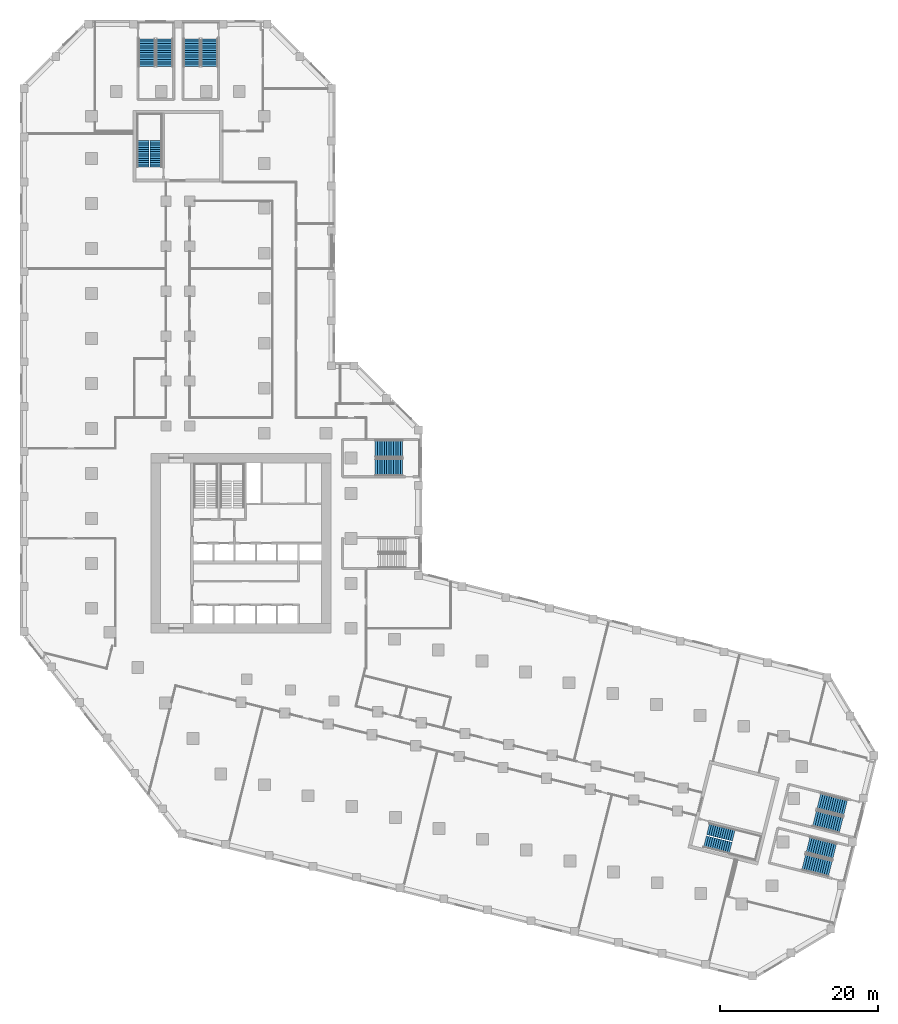
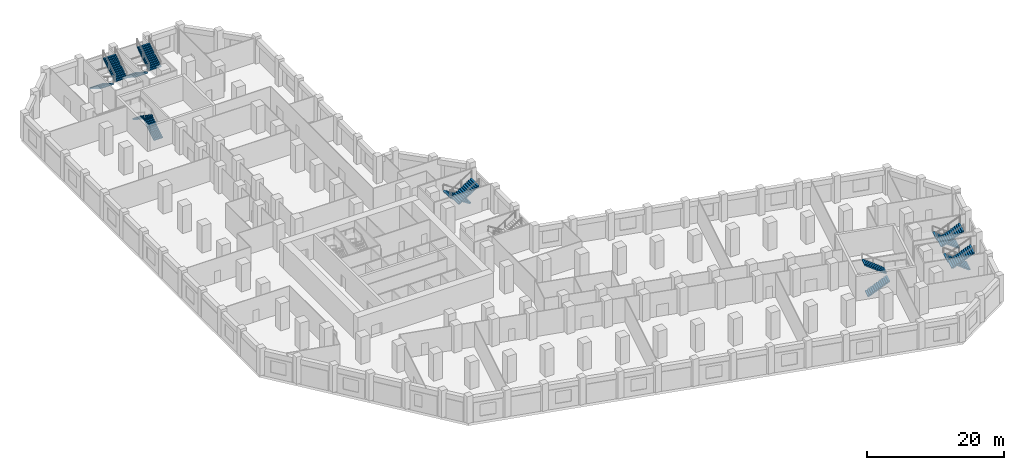
# One storey, part 11 of 15: 14 stair flights, 7 elements without a shape of their own.
"""IFC4 building model written with IfcOpenShell, lengths in metres."""

from ifc_helpers import new_model, si_unit, direction, frame, origin, place, context, subcontext, project, spatial, polyline, outline, extrude, material, type_object, element, aggregate, save


model = new_model("IFC4")

# Units and contexts
model_context = context("Model", 3, precision=1e-05, world=origin(), true_north=direction((0.0, 1.0)))
body_context = subcontext(model_context, "Body", "Model", "MODEL_VIEW")
ifc_project = project(units=[si_unit("LENGTHUNIT", "METRE"), si_unit("AREAUNIT", "SQUARE_METRE"), si_unit("VOLUMEUNIT", "CUBIC_METRE"), si_unit("PLANEANGLEUNIT", "RADIAN"), si_unit("MASSUNIT", "GRAM", prefix="KILO")], contexts=[model_context])

# Site, building, storey
site_placement = place(None, origin())
site = spatial("IfcSite", under=ifc_project, at=site_placement, CompositionType="ELEMENT")
building_placement = place(site_placement, origin())
building = spatial("IfcBuilding", under=site, at=building_placement, Name="Meshkara Civic Tower", CompositionType="ELEMENT")
storey_placement = place(building_placement, frame((0.0, 0.0, 23.39990234375)))
storey = spatial("IfcBuildingStorey", under=building, at=storey_placement, Name="L04", CompositionType="ELEMENT", Elevation=23.39990234375)

# Stair, stair flights
ifc_material_1 = material(Name="Precast concrete C40/50", Category="concrete")
stair_type_1 = type_object("IfcStairType", Name="Exit stair half-turn 26 risers 1500 precast", PredefinedType="HALF_TURN_STAIR", material=ifc_material_1)
stair_1_placement = place(storey_placement, origin())
stair_1 = element("IfcStair", 1, at=stair_1_placement, inside=storey, type_object=stair_type_1, Name="L04 exit stair A from B2", PredefinedType="HALF_TURN_STAIR")
ifc_material_2 = material(Name="Precast concrete C40/50", Category="concrete")
stair_flight_type_1 = type_object("IfcStairFlightType", Name="Exit stair flight 13 risers 1500 precast", PredefinedType="STRAIGHT", material=ifc_material_2)
stair_flight_1_placement = place(storey_placement, frame((8.625, 73.169921875, 0.0), z_axis=(0.0, 0.0, 1.0), x_axis=(0.0, 1.0, 0.0)))
stair_flight_1 = element("IfcStairFlight", 2, at=stair_flight_1_placement, type_object=stair_flight_type_1, Name="ESA1 flight 1", NumberOfRisers=13, NumberOfTreads=12, PredefinedType="STRAIGHT", RiserHeight=0.184615385, TreadLength=0.28, context=body_context, shape_type="SweptSolid", body=[
    extrude(outline(polyline([(0.0, 0.0), (0.0, 0.1845703125), (0.280029296875, 0.1845703125), (0.280029296875, 0.369140625), (0.56005859375, 0.369140625), (0.56005859375, 0.553955078125), (0.840087890625, 0.553955078125), (0.840087890625, 0.738525390625), (1.1201171875, 0.738525390625), (1.1201171875, 0.923095703125), (1.39990234375, 0.923095703125), (1.39990234375, 1.107666015625), (1.679931640625, 1.107666015625), (1.679931640625, 1.292236328125), (1.9599609375, 1.292236328125), (1.9599609375, 1.476806640625), (2.239990234375, 1.476806640625), (2.239990234375, 1.66162109375), (2.52001953125, 1.66162109375), (2.52001953125, 1.84619140625), (2.800048828125, 1.84619140625), (2.800048828125, 2.03076171875), (3.080078125, 2.03076171875), (3.080078125, 2.21533203125), (3.360107421875, 2.21533203125), (3.360107421875, 2.39990234375), (3.360107421875, 2.035888671875), (0.272216796875, 0.0), (0.0, 0.0)])), frame((0.0, 0.75, 0.0), z_axis=(0.0, -1.0, 0.0), x_axis=(1.0, 0.0, 0.0)), (0.0, 0.0, 1.0), 1.5),
])
stair_flight_2_placement = place(storey_placement, frame((6.97509765625, 76.530029296875, 2.400146484375), z_axis=(0.0, 0.0, 1.0), x_axis=(0.0, -1.0, 0.0)))
stair_flight_2 = element("IfcStairFlight", 3, at=stair_flight_2_placement, type_object=stair_flight_type_1, Name="ESA1 flight 2", NumberOfRisers=13, NumberOfTreads=12, PredefinedType="STRAIGHT", RiserHeight=0.184615385, TreadLength=0.28, context=body_context, shape_type="SweptSolid", body=[
    extrude(outline(polyline([(0.0, 0.0), (0.0, 0.1845703125), (0.280029296875, 0.1845703125), (0.280029296875, 0.369140625), (0.56005859375, 0.369140625), (0.56005859375, 0.553955078125), (0.840087890625, 0.553955078125), (0.840087890625, 0.738525390625), (1.1201171875, 0.738525390625), (1.1201171875, 0.923095703125), (1.39990234375, 0.923095703125), (1.39990234375, 1.107666015625), (1.679931640625, 1.107666015625), (1.679931640625, 1.292236328125), (1.9599609375, 1.292236328125), (1.9599609375, 1.476806640625), (2.239990234375, 1.476806640625), (2.239990234375, 1.66162109375), (2.52001953125, 1.66162109375), (2.52001953125, 1.84619140625), (2.800048828125, 1.84619140625), (2.800048828125, 2.03076171875), (3.080078125, 2.03076171875), (3.080078125, 2.21533203125), (3.360107421875, 2.21533203125), (3.360107421875, 2.39990234375), (3.360107421875, 2.035888671875), (0.272216796875, 0.0), (0.0, 0.0)])), frame((0.0, 0.75, 0.0), z_axis=(0.0, -1.0, 0.0), x_axis=(1.0, 0.0, 0.0)), (0.0, 0.0, 1.0), 1.5),
])
aggregate(stair_1, [stair_flight_1, stair_flight_2])

stair_2_placement = place(storey_placement, origin())
stair_2 = element("IfcStair", 4, at=stair_2_placement, inside=storey, type_object=stair_type_1, Name="L04 exit stair B from B2", PredefinedType="HALF_TURN_STAIR")
stair_flight_3_placement = place(storey_placement, frame((78.214599609375, -12.3125, 0.0), z_axis=(0.0, 0.0, 1.0), x_axis=(0.970260066579, -0.242064873955, 0.0)))
stair_flight_3 = element("IfcStairFlight", 5, at=stair_flight_3_placement, type_object=stair_flight_type_1, Name="ESB1 flight 1", NumberOfRisers=13, NumberOfTreads=12, PredefinedType="STRAIGHT", RiserHeight=0.184615385, TreadLength=0.28, context=body_context, shape_type="SweptSolid", body=[
    extrude(outline(polyline([(0.0, 0.0), (0.0, 0.1845703125), (0.280029296875, 0.1845703125), (0.280029296875, 0.369140625), (0.56005859375, 0.369140625), (0.56005859375, 0.553955078125), (0.840087890625, 0.553955078125), (0.840087890625, 0.738525390625), (1.1201171875, 0.738525390625), (1.1201171875, 0.923095703125), (1.39990234375, 0.923095703125), (1.39990234375, 1.107666015625), (1.679931640625, 1.107666015625), (1.679931640625, 1.292236328125), (1.9599609375, 1.292236328125), (1.9599609375, 1.476806640625), (2.239990234375, 1.476806640625), (2.239990234375, 1.66162109375), (2.52001953125, 1.66162109375), (2.52001953125, 1.84619140625), (2.800048828125, 1.84619140625), (2.800048828125, 2.03076171875), (3.080078125, 2.03076171875), (3.080078125, 2.21533203125), (3.360107421875, 2.21533203125), (3.360107421875, 2.39990234375), (3.360107421875, 2.035888671875), (0.272216796875, 0.0), (0.0, 0.0)])), frame((0.0, 0.75, 0.0), z_axis=(0.0, -1.0, 0.0), x_axis=(1.0, 0.0, 0.0)), (0.0, 0.0, 1.0), 1.5),
])
stair_flight_4_placement = place(storey_placement, frame((81.874267578125, -11.52490234375, 2.400146484375), z_axis=(0.0, 0.0, 1.0), x_axis=(-0.970260066579, 0.242064873955, 0.0)))
stair_flight_4 = element("IfcStairFlight", 6, at=stair_flight_4_placement, type_object=stair_flight_type_1, Name="ESB1 flight 2", NumberOfRisers=13, NumberOfTreads=12, PredefinedType="STRAIGHT", RiserHeight=0.184615385, TreadLength=0.28, context=body_context, shape_type="SweptSolid", body=[
    extrude(outline(polyline([(0.0, 0.0), (0.0, 0.1845703125), (0.280029296875, 0.1845703125), (0.280029296875, 0.369140625), (0.56005859375, 0.369140625), (0.56005859375, 0.553955078125), (0.840087890625, 0.553955078125), (0.840087890625, 0.738525390625), (1.1201171875, 0.738525390625), (1.1201171875, 0.923095703125), (1.39990234375, 0.923095703125), (1.39990234375, 1.107666015625), (1.679931640625, 1.107666015625), (1.679931640625, 1.292236328125), (1.9599609375, 1.292236328125), (1.9599609375, 1.476806640625), (2.239990234375, 1.476806640625), (2.239990234375, 1.66162109375), (2.52001953125, 1.66162109375), (2.52001953125, 1.84619140625), (2.800048828125, 1.84619140625), (2.800048828125, 2.03076171875), (3.080078125, 2.03076171875), (3.080078125, 2.21533203125), (3.360107421875, 2.21533203125), (3.360107421875, 2.39990234375), (3.360107421875, 2.035888671875), (0.272216796875, 0.0), (0.0, 0.0)])), frame((0.0, 0.75, 0.0), z_axis=(0.0, -1.0, 0.0), x_axis=(1.0, 0.0, 0.0)), (0.0, 0.0, 1.0), 1.5),
])
aggregate(stair_2, [stair_flight_3, stair_flight_4])

ifc_material_3 = material(Name="Precast concrete C40/50", Category="concrete")
stair_type_2 = type_object("IfcStairType", Name="Podium exit stair half-turn 26 risers 2100 wide precast", PredefinedType="HALF_TURN_STAIR", material=ifc_material_3)
stair_3_placement = place(storey_placement, origin())
stair_3 = element("IfcStair", 7, at=stair_3_placement, inside=storey, type_object=stair_type_2, Name="L04 podium exit stair PS1", PredefinedType="HALF_TURN_STAIR")
ifc_material_4 = material(Name="Precast concrete C40/50", Category="concrete")
stair_flight_type_2 = type_object("IfcStairFlightType", Name="Podium exit stair flight 13 risers 2100 wide precast", PredefinedType="STRAIGHT", material=ifc_material_4)
stair_flight_5_placement = place(storey_placement, frame((7.485107421875, 89.419921875, 0.0), z_axis=(0.0, 0.0, 1.0), x_axis=(0.0, -1.0, 0.0)))
stair_flight_5 = element("IfcStairFlight", 8, at=stair_flight_5_placement, type_object=stair_flight_type_2, Name="PS1 flight 1", NumberOfRisers=13, NumberOfTreads=12, PredefinedType="STRAIGHT", RiserHeight=0.184615385, TreadLength=0.29, context=body_context, shape_type="SweptSolid", body=[
    extrude(outline(polyline([(0.0, 0.0), (0.0, 0.1845703125), (0.2900390625, 0.1845703125), (0.2900390625, 0.369140625), (0.580078125, 0.369140625), (0.580078125, 0.553955078125), (0.8701171875, 0.553955078125), (0.8701171875, 0.738525390625), (1.159912109375, 0.738525390625), (1.159912109375, 0.923095703125), (1.449951171875, 0.923095703125), (1.449951171875, 1.107666015625), (1.739990234375, 1.107666015625), (1.739990234375, 1.292236328125), (2.030029296875, 1.292236328125), (2.030029296875, 1.476806640625), (2.320068359375, 1.476806640625), (2.320068359375, 1.66162109375), (2.610107421875, 1.66162109375), (2.610107421875, 1.84619140625), (2.89990234375, 1.84619140625), (2.89990234375, 2.03076171875), (3.18994140625, 2.03076171875), (3.18994140625, 2.21533203125), (3.47998046875, 2.21533203125), (3.47998046875, 2.39990234375), (3.47998046875, 2.03759765625), (0.279052734375, 0.0), (0.0, 0.0)])), frame((0.0, 1.050048828125, 0.0), z_axis=(0.0, -1.0, 0.0), x_axis=(1.0, 0.0, 0.0)), (0.0, 0.0, 1.0), 2.10009765625),
])
stair_flight_6_placement = place(storey_placement, frame((9.735107421875, 85.93994140625, 2.400146484375), z_axis=(0.0, 0.0, 1.0), x_axis=(0.0, 1.0, 0.0)))
stair_flight_6 = element("IfcStairFlight", 9, at=stair_flight_6_placement, type_object=stair_flight_type_2, Name="PS1 flight 2", NumberOfRisers=13, NumberOfTreads=12, PredefinedType="STRAIGHT", RiserHeight=0.184615385, TreadLength=0.29, context=body_context, shape_type="SweptSolid", body=[
    extrude(outline(polyline([(0.0, 0.0), (0.0, 0.1845703125), (0.2900390625, 0.1845703125), (0.2900390625, 0.369140625), (0.580078125, 0.369140625), (0.580078125, 0.553955078125), (0.8701171875, 0.553955078125), (0.8701171875, 0.738525390625), (1.159912109375, 0.738525390625), (1.159912109375, 0.923095703125), (1.449951171875, 0.923095703125), (1.449951171875, 1.107666015625), (1.739990234375, 1.107666015625), (1.739990234375, 1.292236328125), (2.030029296875, 1.292236328125), (2.030029296875, 1.476806640625), (2.320068359375, 1.476806640625), (2.320068359375, 1.66162109375), (2.610107421875, 1.66162109375), (2.610107421875, 1.84619140625), (2.89990234375, 1.84619140625), (2.89990234375, 2.03076171875), (3.18994140625, 2.03076171875), (3.18994140625, 2.21533203125), (3.47998046875, 2.21533203125), (3.47998046875, 2.39990234375), (3.47998046875, 2.03759765625), (0.279052734375, 0.0), (0.0, 0.0)])), frame((0.0, 1.050048828125, 0.0), z_axis=(0.0, -1.0, 0.0), x_axis=(1.0, 0.0, 0.0)), (0.0, 0.0, 1.0), 2.10009765625),
])
aggregate(stair_3, [stair_flight_5, stair_flight_6])

stair_4_placement = place(storey_placement, origin())
stair_4 = element("IfcStair", 10, at=stair_4_placement, inside=storey, type_object=stair_type_2, Name="L04 podium exit stair PS2", PredefinedType="HALF_TURN_STAIR")
stair_flight_7_placement = place(storey_placement, frame((13.18505859375, 89.419921875, 0.0), z_axis=(0.0, 0.0, 1.0), x_axis=(0.0, -1.0, 0.0)))
stair_flight_7 = element("IfcStairFlight", 11, at=stair_flight_7_placement, type_object=stair_flight_type_2, Name="PS2 flight 1", NumberOfRisers=13, NumberOfTreads=12, PredefinedType="STRAIGHT", RiserHeight=0.184615385, TreadLength=0.29, context=body_context, shape_type="SweptSolid", body=[
    extrude(outline(polyline([(0.0, 0.0), (0.0, 0.1845703125), (0.2900390625, 0.1845703125), (0.2900390625, 0.369140625), (0.580078125, 0.369140625), (0.580078125, 0.553955078125), (0.8701171875, 0.553955078125), (0.8701171875, 0.738525390625), (1.159912109375, 0.738525390625), (1.159912109375, 0.923095703125), (1.449951171875, 0.923095703125), (1.449951171875, 1.107666015625), (1.739990234375, 1.107666015625), (1.739990234375, 1.292236328125), (2.030029296875, 1.292236328125), (2.030029296875, 1.476806640625), (2.320068359375, 1.476806640625), (2.320068359375, 1.66162109375), (2.610107421875, 1.66162109375), (2.610107421875, 1.84619140625), (2.89990234375, 1.84619140625), (2.89990234375, 2.03076171875), (3.18994140625, 2.03076171875), (3.18994140625, 2.21533203125), (3.47998046875, 2.21533203125), (3.47998046875, 2.39990234375), (3.47998046875, 2.03759765625), (0.279052734375, 0.0), (0.0, 0.0)])), frame((0.0, 1.050048828125, 0.0), z_axis=(0.0, -1.0, 0.0), x_axis=(1.0, 0.0, 0.0)), (0.0, 0.0, 1.0), 2.10009765625),
])
stair_flight_8_placement = place(storey_placement, frame((15.43505859375, 85.93994140625, 2.400146484375), z_axis=(0.0, 0.0, 1.0), x_axis=(0.0, 1.0, 0.0)))
stair_flight_8 = element("IfcStairFlight", 12, at=stair_flight_8_placement, type_object=stair_flight_type_2, Name="PS2 flight 2", NumberOfRisers=13, NumberOfTreads=12, PredefinedType="STRAIGHT", RiserHeight=0.184615385, TreadLength=0.29, context=body_context, shape_type="SweptSolid", body=[
    extrude(outline(polyline([(0.0, 0.0), (0.0, 0.1845703125), (0.2900390625, 0.1845703125), (0.2900390625, 0.369140625), (0.580078125, 0.369140625), (0.580078125, 0.553955078125), (0.8701171875, 0.553955078125), (0.8701171875, 0.738525390625), (1.159912109375, 0.738525390625), (1.159912109375, 0.923095703125), (1.449951171875, 0.923095703125), (1.449951171875, 1.107666015625), (1.739990234375, 1.107666015625), (1.739990234375, 1.292236328125), (2.030029296875, 1.292236328125), (2.030029296875, 1.476806640625), (2.320068359375, 1.476806640625), (2.320068359375, 1.66162109375), (2.610107421875, 1.66162109375), (2.610107421875, 1.84619140625), (2.89990234375, 1.84619140625), (2.89990234375, 2.03076171875), (3.18994140625, 2.03076171875), (3.18994140625, 2.21533203125), (3.47998046875, 2.21533203125), (3.47998046875, 2.39990234375), (3.47998046875, 2.03759765625), (0.279052734375, 0.0), (0.0, 0.0)])), frame((0.0, 1.050048828125, 0.0), z_axis=(0.0, -1.0, 0.0), x_axis=(1.0, 0.0, 0.0)), (0.0, 0.0, 1.0), 2.10009765625),
])
aggregate(stair_4, [stair_flight_7, stair_flight_8])

stair_5_placement = place(storey_placement, origin())
stair_5 = element("IfcStair", 13, at=stair_5_placement, inside=storey, type_object=stair_type_2, Name="L04 podium exit stair PS3", PredefinedType="HALF_TURN_STAIR")
stair_flight_9_placement = place(storey_placement, frame((94.6494140625, -13.565673828125, 0.0), z_axis=(0.0, 0.0, 1.0), x_axis=(-0.970295726276, 0.2419218956, 0.0)))
stair_flight_9 = element("IfcStairFlight", 14, at=stair_flight_9_placement, type_object=stair_flight_type_2, Name="PS3 flight 1", NumberOfRisers=13, NumberOfTreads=12, PredefinedType="STRAIGHT", RiserHeight=0.184615385, TreadLength=0.29, context=body_context, shape_type="SweptSolid", body=[
    extrude(outline(polyline([(0.0, 0.0), (0.0, 0.1845703125), (0.2900390625, 0.1845703125), (0.2900390625, 0.369140625), (0.580078125, 0.369140625), (0.580078125, 0.553955078125), (0.8701171875, 0.553955078125), (0.8701171875, 0.738525390625), (1.159912109375, 0.738525390625), (1.159912109375, 0.923095703125), (1.449951171875, 0.923095703125), (1.449951171875, 1.107666015625), (1.739990234375, 1.107666015625), (1.739990234375, 1.292236328125), (2.030029296875, 1.292236328125), (2.030029296875, 1.476806640625), (2.320068359375, 1.476806640625), (2.320068359375, 1.66162109375), (2.610107421875, 1.66162109375), (2.610107421875, 1.84619140625), (2.89990234375, 1.84619140625), (2.89990234375, 2.03076171875), (3.18994140625, 2.03076171875), (3.18994140625, 2.21533203125), (3.47998046875, 2.21533203125), (3.47998046875, 2.39990234375), (3.47998046875, 2.03759765625), (0.279052734375, 0.0), (0.0, 0.0)])), frame((0.0, 1.050048828125, 0.0), z_axis=(0.0, -1.0, 0.0), x_axis=(1.0, 0.0, 0.0)), (0.0, 0.0, 1.0), 2.10009765625),
])
stair_flight_10_placement = place(storey_placement, frame((90.728515625, -14.906982421875, 2.400146484375), z_axis=(0.0, 0.0, 1.0), x_axis=(0.970295726276, -0.2419218956, 0.0)))
stair_flight_10 = element("IfcStairFlight", 15, at=stair_flight_10_placement, type_object=stair_flight_type_2, Name="PS3 flight 2", NumberOfRisers=13, NumberOfTreads=12, PredefinedType="STRAIGHT", RiserHeight=0.184615385, TreadLength=0.29, context=body_context, shape_type="SweptSolid", body=[
    extrude(outline(polyline([(0.0, 0.0), (0.0, 0.1845703125), (0.2900390625, 0.1845703125), (0.2900390625, 0.369140625), (0.580078125, 0.369140625), (0.580078125, 0.553955078125), (0.8701171875, 0.553955078125), (0.8701171875, 0.738525390625), (1.159912109375, 0.738525390625), (1.159912109375, 0.923095703125), (1.449951171875, 0.923095703125), (1.449951171875, 1.107666015625), (1.739990234375, 1.107666015625), (1.739990234375, 1.292236328125), (2.030029296875, 1.292236328125), (2.030029296875, 1.476806640625), (2.320068359375, 1.476806640625), (2.320068359375, 1.66162109375), (2.610107421875, 1.66162109375), (2.610107421875, 1.84619140625), (2.89990234375, 1.84619140625), (2.89990234375, 2.03076171875), (3.18994140625, 2.03076171875), (3.18994140625, 2.21533203125), (3.47998046875, 2.21533203125), (3.47998046875, 2.39990234375), (3.47998046875, 2.03759765625), (0.279052734375, 0.0), (0.0, 0.0)])), frame((0.0, 1.050048828125, 0.0), z_axis=(0.0, -1.0, 0.0), x_axis=(1.0, 0.0, 0.0)), (0.0, 0.0, 1.0), 2.10009765625),
])
aggregate(stair_5, [stair_flight_9, stair_flight_10])

stair_6_placement = place(storey_placement, origin())
stair_6 = element("IfcStair", 16, at=stair_6_placement, inside=storey, type_object=stair_type_2, Name="L04 podium exit stair PS4", PredefinedType="HALF_TURN_STAIR")
stair_flight_11_placement = place(storey_placement, frame((96.0283203125, -8.03466796875, 0.0), z_axis=(0.0, 0.0, 1.0), x_axis=(-0.970295726276, 0.2419218956, 0.0)))
stair_flight_11 = element("IfcStairFlight", 17, at=stair_flight_11_placement, type_object=stair_flight_type_2, Name="PS4 flight 1", NumberOfRisers=13, NumberOfTreads=12, PredefinedType="STRAIGHT", RiserHeight=0.184615385, TreadLength=0.29, context=body_context, shape_type="SweptSolid", body=[
    extrude(outline(polyline([(0.0, 0.0), (0.0, 0.1845703125), (0.2900390625, 0.1845703125), (0.2900390625, 0.369140625), (0.580078125, 0.369140625), (0.580078125, 0.553955078125), (0.8701171875, 0.553955078125), (0.8701171875, 0.738525390625), (1.159912109375, 0.738525390625), (1.159912109375, 0.923095703125), (1.449951171875, 0.923095703125), (1.449951171875, 1.107666015625), (1.739990234375, 1.107666015625), (1.739990234375, 1.292236328125), (2.030029296875, 1.292236328125), (2.030029296875, 1.476806640625), (2.320068359375, 1.476806640625), (2.320068359375, 1.66162109375), (2.610107421875, 1.66162109375), (2.610107421875, 1.84619140625), (2.89990234375, 1.84619140625), (2.89990234375, 2.03076171875), (3.18994140625, 2.03076171875), (3.18994140625, 2.21533203125), (3.47998046875, 2.21533203125), (3.47998046875, 2.39990234375), (3.47998046875, 2.03759765625), (0.279052734375, 0.0), (0.0, 0.0)])), frame((0.0, 1.050048828125, 0.0), z_axis=(0.0, -1.0, 0.0), x_axis=(1.0, 0.0, 0.0)), (0.0, 0.0, 1.0), 2.10009765625),
])
stair_flight_12_placement = place(storey_placement, frame((92.107421875, -9.3759765625, 2.400146484375), z_axis=(0.0, 0.0, 1.0), x_axis=(0.970295726276, -0.2419218956, 0.0)))
stair_flight_12 = element("IfcStairFlight", 18, at=stair_flight_12_placement, type_object=stair_flight_type_2, Name="PS4 flight 2", NumberOfRisers=13, NumberOfTreads=12, PredefinedType="STRAIGHT", RiserHeight=0.184615385, TreadLength=0.29, context=body_context, shape_type="SweptSolid", body=[
    extrude(outline(polyline([(0.0, 0.0), (0.0, 0.1845703125), (0.2900390625, 0.1845703125), (0.2900390625, 0.369140625), (0.580078125, 0.369140625), (0.580078125, 0.553955078125), (0.8701171875, 0.553955078125), (0.8701171875, 0.738525390625), (1.159912109375, 0.738525390625), (1.159912109375, 0.923095703125), (1.449951171875, 0.923095703125), (1.449951171875, 1.107666015625), (1.739990234375, 1.107666015625), (1.739990234375, 1.292236328125), (2.030029296875, 1.292236328125), (2.030029296875, 1.476806640625), (2.320068359375, 1.476806640625), (2.320068359375, 1.66162109375), (2.610107421875, 1.66162109375), (2.610107421875, 1.84619140625), (2.89990234375, 1.84619140625), (2.89990234375, 2.03076171875), (3.18994140625, 2.03076171875), (3.18994140625, 2.21533203125), (3.47998046875, 2.21533203125), (3.47998046875, 2.39990234375), (3.47998046875, 2.03759765625), (0.279052734375, 0.0), (0.0, 0.0)])), frame((0.0, 1.050048828125, 0.0), z_axis=(0.0, -1.0, 0.0), x_axis=(1.0, 0.0, 0.0)), (0.0, 0.0, 1.0), 2.10009765625),
])
aggregate(stair_6, [stair_flight_11, stair_flight_12])

ifc_material_5 = material(Name="Precast concrete C40/50", Category="concrete")
stair_type_3 = type_object("IfcStairType", Name="Podium exit stair half-turn 26 risers 2200 wide precast", PredefinedType="HALF_TURN_STAIR", material=ifc_material_5)
stair_7_placement = place(storey_placement, origin())
stair_7 = element("IfcStair", 19, at=stair_7_placement, inside=storey, type_object=stair_type_3, Name="L04 podium exit stair PS6", PredefinedType="HALF_TURN_STAIR")
ifc_material_6 = material(Name="Precast concrete C40/50", Category="concrete")
stair_flight_type_3 = type_object("IfcStairFlightType", Name="Podium exit stair flight 13 risers 2200 wide precast", PredefinedType="STRAIGHT", material=ifc_material_6)
stair_flight_13_placement = place(storey_placement, frame((39.89990234375, 37.47509765625, 0.0), z_axis=(0.0, 0.0, 1.0), x_axis=(-1.0, 0.0, 0.0)))
stair_flight_13 = element("IfcStairFlight", 20, at=stair_flight_13_placement, type_object=stair_flight_type_3, Name="PS6 flight 1", NumberOfRisers=13, NumberOfTreads=12, PredefinedType="STRAIGHT", RiserHeight=0.184615385, TreadLength=0.29, context=body_context, shape_type="SweptSolid", body=[
    extrude(outline(polyline([(0.0, 0.0), (0.0, 0.1845703125), (0.2900390625, 0.1845703125), (0.2900390625, 0.369140625), (0.580078125, 0.369140625), (0.580078125, 0.553955078125), (0.8701171875, 0.553955078125), (0.8701171875, 0.738525390625), (1.159912109375, 0.738525390625), (1.159912109375, 0.923095703125), (1.449951171875, 0.923095703125), (1.449951171875, 1.107666015625), (1.739990234375, 1.107666015625), (1.739990234375, 1.292236328125), (2.030029296875, 1.292236328125), (2.030029296875, 1.476806640625), (2.320068359375, 1.476806640625), (2.320068359375, 1.66162109375), (2.610107421875, 1.66162109375), (2.610107421875, 1.84619140625), (2.89990234375, 1.84619140625), (2.89990234375, 2.03076171875), (3.18994140625, 2.03076171875), (3.18994140625, 2.21533203125), (3.47998046875, 2.21533203125), (3.47998046875, 2.39990234375), (3.47998046875, 2.03759765625), (0.279052734375, 0.0), (0.0, 0.0)])), frame((0.0, 1.10009765625, 0.0), z_axis=(0.0, -1.0, 0.0), x_axis=(1.0, 0.0, 0.0)), (0.0, 0.0, 1.0), 2.199951171875),
])
stair_flight_14_placement = place(storey_placement, frame((36.419921875, 35.125, 2.400146484375), z_axis=(0.0, 0.0, 1.0), x_axis=(1.0, 0.0, 0.0)))
stair_flight_14 = element("IfcStairFlight", 21, at=stair_flight_14_placement, type_object=stair_flight_type_3, Name="PS6 flight 2", NumberOfRisers=13, NumberOfTreads=12, PredefinedType="STRAIGHT", RiserHeight=0.184615385, TreadLength=0.29, context=body_context, shape_type="SweptSolid", body=[
    extrude(outline(polyline([(0.0, 0.0), (0.0, 0.1845703125), (0.2900390625, 0.1845703125), (0.2900390625, 0.369140625), (0.580078125, 0.369140625), (0.580078125, 0.553955078125), (0.8701171875, 0.553955078125), (0.8701171875, 0.738525390625), (1.159912109375, 0.738525390625), (1.159912109375, 0.923095703125), (1.449951171875, 0.923095703125), (1.449951171875, 1.107666015625), (1.739990234375, 1.107666015625), (1.739990234375, 1.292236328125), (2.030029296875, 1.292236328125), (2.030029296875, 1.476806640625), (2.320068359375, 1.476806640625), (2.320068359375, 1.66162109375), (2.610107421875, 1.66162109375), (2.610107421875, 1.84619140625), (2.89990234375, 1.84619140625), (2.89990234375, 2.03076171875), (3.18994140625, 2.03076171875), (3.18994140625, 2.21533203125), (3.47998046875, 2.21533203125), (3.47998046875, 2.39990234375), (3.47998046875, 2.03759765625), (0.279052734375, 0.0), (0.0, 0.0)])), frame((0.0, 1.10009765625, 0.0), z_axis=(0.0, -1.0, 0.0), x_axis=(1.0, 0.0, 0.0)), (0.0, 0.0, 1.0), 2.199951171875),
])
aggregate(stair_7, [stair_flight_13, stair_flight_14])

save(model, "model.ifc")
